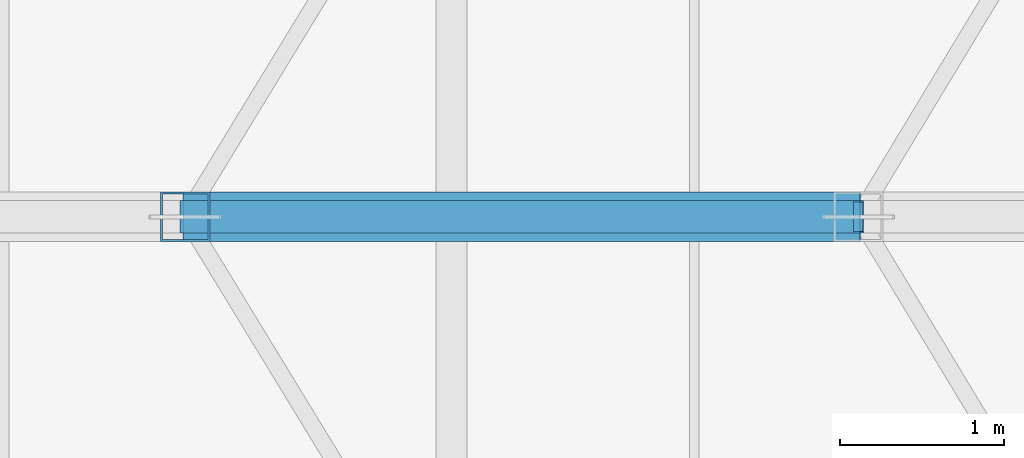
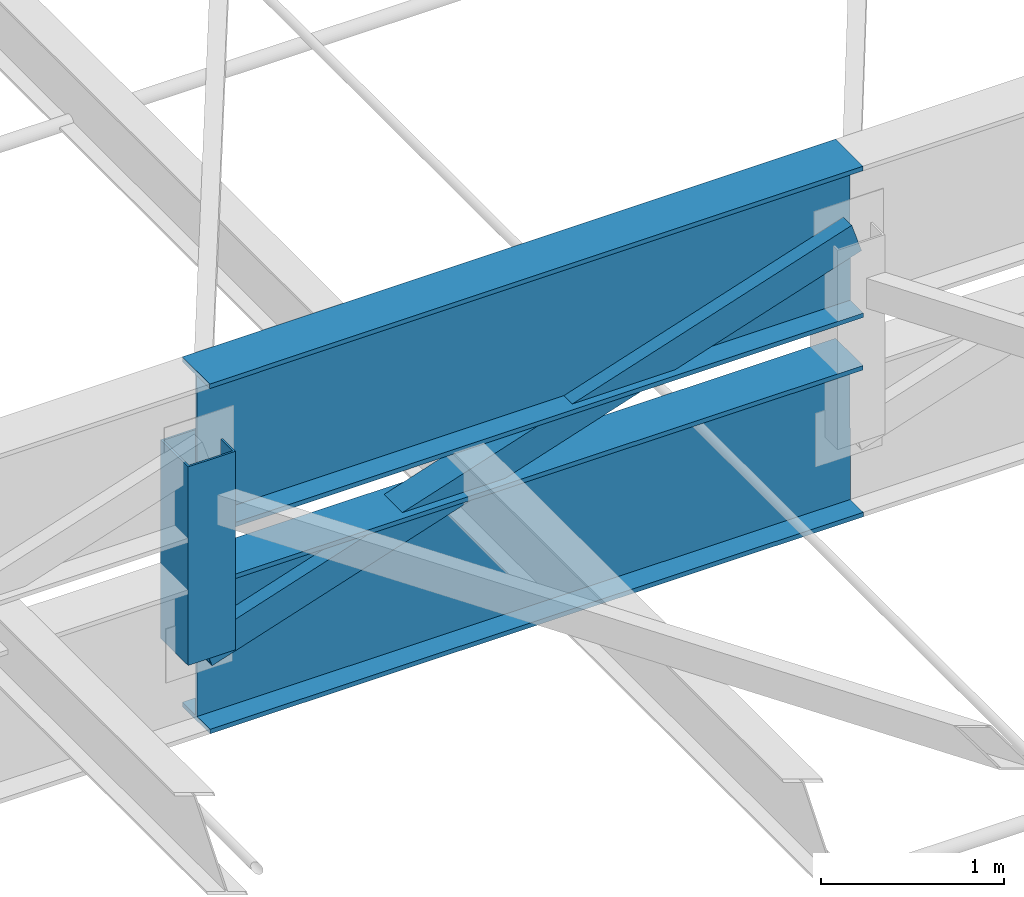
# One storey, part 23 of 184: 2 beams, 2 members.
"""IFC4 building model written with IfcOpenShell, lengths in metres."""

from ifc_helpers import new_model, si_unit, direction, frame, origin, origin_2d, place, context, subcontext, project, spatial, hollow_rectangle, i_section, extrude, material, material_profile, profile_set, type_object, element, save


model = new_model("IFC4")

# Units and contexts
model_context = context("Model", 3, precision=1e-05, world=origin(), true_north=direction((0.0, 1.0)))
body_context = subcontext(model_context, "Body", "Model", "MODEL_VIEW")
ifc_project = project(units=[si_unit("LENGTHUNIT", "METRE"), si_unit("AREAUNIT", "SQUARE_METRE"), si_unit("VOLUMEUNIT", "CUBIC_METRE"), si_unit("PLANEANGLEUNIT", "RADIAN"), si_unit("MASSUNIT", "GRAM", prefix="KILO")], contexts=[model_context])

# Site, building, storey
site_placement = place(None, origin())
site = spatial("IfcSite", under=ifc_project, at=site_placement, CompositionType="ELEMENT")
building_placement = place(site_placement, origin())
building = spatial("IfcBuilding", under=site, at=building_placement, Name="Kalgoora Escarpment Arena", CompositionType="ELEMENT")
storey_placement = place(building_placement, frame((0.0, 0.0, 27.60009765625)))
storey = spatial("IfcBuildingStorey", under=building, at=storey_placement, Name="Roof Level", CompositionType="ELEMENT", Elevation=27.60009765625)

# Beams
ifc_material_1 = material(Name="Structural steel Grade 350 (350 MPa)", Category="steel")
ifc_material_profile_1 = material_profile(ifc_material_1, i_section(OverallWidth=0.300048828125, OverallDepth=1.010009765625, WebThickness=0.01611328125, FlangeThickness=0.030029296875, at=origin_2d()))
ifc_profile_set_1 = profile_set([ifc_material_profile_1], Name="Structural steel Grade 350 (350 MPa)")
beam_type = type_object("IfcBeamType", Name="BM-TRUSS-CHORD", PredefinedType="USERDEFINED", material=ifc_profile_set_1)
for number, where, z_axis, x_axis, name in (
    (1, (68.2880859375, 64.0, -1.625), (0.999999299082, 0.0, 0.001183991593), (0.0, 1.0, 0.0), "Radial ROOF TRUSS spine 5 bottom chord 7"),
    (2, (68.2880859375, 64.0, -0.300048828125), (0.999997054401, 0.0, 0.002427177317), (0.0, 1.0, 0.0), "Radial ROOF TRUSS spine 5 top chord 7"),
):
    element("IfcBeam", number, at=place(storey_placement, frame(where, z_axis=z_axis, x_axis=x_axis)), inside=storey, type_object=beam_type, Name=name, ObjectType="GIRDER", PredefinedType="USERDEFINED", context=body_context, shape_type="SweptSolid", body=[
        extrude(i_section(OverallWidth=0.300048828125, OverallDepth=1.010009765625, WebThickness=0.01611328125, FlangeThickness=0.030029296875, at=origin_2d()), origin(), (0.0, 0.0, 1.0), 4.1240234375),
    ])

# Members
ifc_material_2 = material(Name="Structural steel C350 (350 MPa)", Category="steel")
ifc_material_profile_2 = material_profile(ifc_material_2, hollow_rectangle(XDim=0.199951171875, YDim=0.199951171875, WallThickness=0.009033203125, at=origin_2d()))
ifc_profile_set_2 = profile_set([ifc_material_profile_2], Name="Structural steel C350 (350 MPa)")
member_type_1 = type_object("IfcMemberType", Name="MEM-TRUSS-DIAG", PredefinedType="BRACE", material=ifc_profile_set_2)
member_1_placement = place(storey_placement, frame((68.300048828125, 64.0, -1.625), z_axis=(0.950862903129, 0.0, 0.309612240476), x_axis=(0.0, 1.0, 0.0)))
element("IfcMember", 3, at=member_1_placement, inside=storey, type_object=member_type_1, Name="Radial ROOF TRUSS spine 5 web diagonal 7", PredefinedType="BRACE", context=body_context, shape_type="SweptSolid", body=[
    extrude(hollow_rectangle(XDim=0.199951171875, YDim=0.199951171875, WallThickness=0.009033203125, at=origin_2d()), origin(), (0.0, 0.0, 1.0), 4.311767578125),
])
ifc_material_3 = material(Name="Structural steel C450 (450 MPa)", Category="steel")
ifc_material_profile_3 = material_profile(ifc_material_3, hollow_rectangle(XDim=0.300048828125, YDim=0.300048828125, WallThickness=0.012451171875, at=origin_2d()))
ifc_profile_set_3 = profile_set([ifc_material_profile_3], Name="Structural steel C450 (450 MPa)")
member_type_2 = type_object("IfcMemberType", Name="MEM-TRUSS-POST", PredefinedType="POST", material=ifc_profile_set_3)
member_2_placement = place(storey_placement, frame((68.300048828125, 64.0, -1.625), z_axis=(0.0, 0.0, 1.0), x_axis=(1.0, 0.0, 0.0)))
element("IfcMember", 4, at=member_2_placement, inside=storey, type_object=member_type_2, Name="Radial ROOF TRUSS spine 5 post 6", PredefinedType="POST", context=body_context, shape_type="SweptSolid", body=[
    extrude(hollow_rectangle(XDim=0.300048828125, YDim=0.300048828125, WallThickness=0.012451171875, at=origin_2d()), origin(), (0.0, 0.0, 1.0), 1.324951171875),
])

save(model, "model.ifc")
